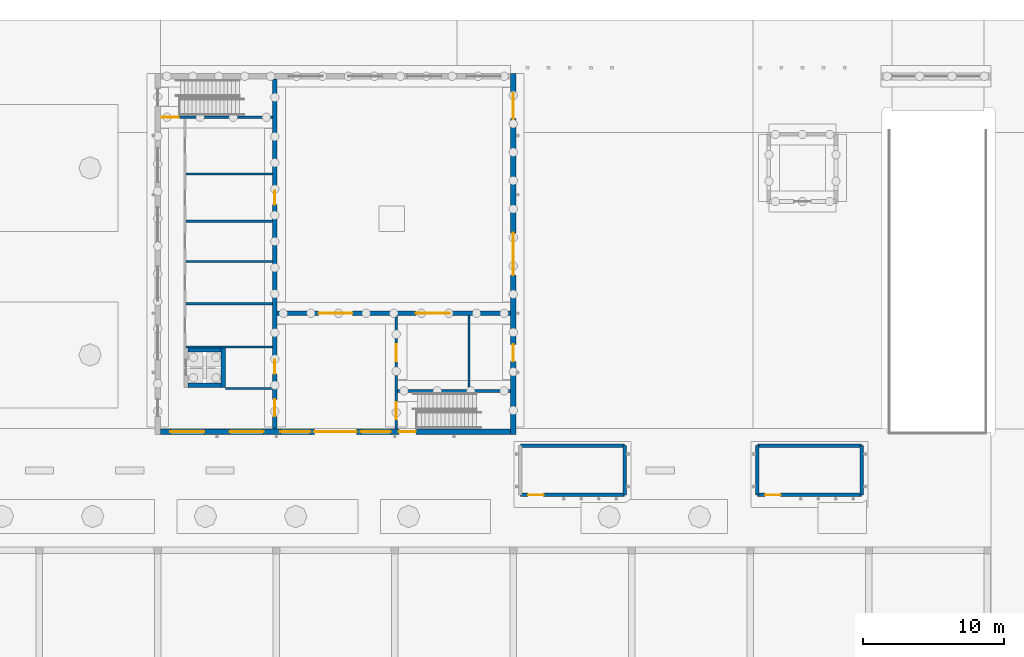
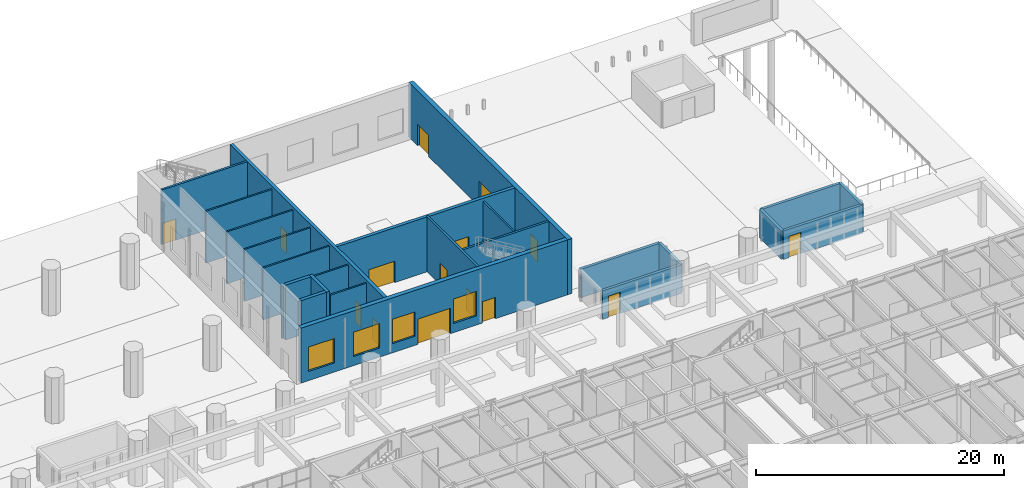
# One storey, part 74 of 127: 24 walls, 15 doors, 4 windows, 19 openings.
"""IFC4 building model written with IfcOpenShell, lengths in metres."""

from ifc_helpers import new_model, si_unit, direction, frame, frame_2d, origin, place, context, subcontext, project, spatial, rectangle, extrude, material, layer, layer_set, type_object, element, fill, save


model = new_model("IFC4")

# Units and contexts
model_context = context("Model", 3, precision=1e-05, world=origin(), true_north=direction((0.0, 1.0)))
body_context = subcontext(model_context, "Body", "Model", "MODEL_VIEW")
ifc_project = project(units=[si_unit("LENGTHUNIT", "METRE"), si_unit("AREAUNIT", "SQUARE_METRE"), si_unit("VOLUMEUNIT", "CUBIC_METRE"), si_unit("PLANEANGLEUNIT", "RADIAN"), si_unit("MASSUNIT", "GRAM", prefix="KILO")], contexts=[model_context])

# Site, building, storey
site_placement = place(None, origin())
site = spatial("IfcSite", under=ifc_project, at=site_placement, CompositionType="ELEMENT")
building_placement = place(site_placement, origin())
building = spatial("IfcBuilding", under=site, at=building_placement, Name="Ljudholm Concert House", CompositionType="ELEMENT")
storey_placement = place(building_placement, origin())
storey = spatial("IfcBuildingStorey", under=building, at=storey_placement, Name="L00", CompositionType="ELEMENT", Elevation=0.0)

# Walls
ifc_material_1 = material(Name="Gypsum board on steel studs", Category="steel")
ifc_layer_1 = layer(ifc_material_1, 0.14990234375)
ifc_layer_set_1 = layer_set([ifc_layer_1], Name="Gypsum board on steel studs")
wall_type_1 = type_object("IfcWallType", Name="GYPSUM PARTITION 150", PredefinedType="PARTITIONING", material=ifc_layer_set_1)
for number, where, z_axis, x_axis, name in (
    (1, (64.800048828125, 152.824951171875, 0.0), (0.0, 0.0, 1.0), (1.0, 0.0, 0.0), "Room partition"),
    (2, (64.800048828125, 155.875, 0.0), (0.0, 0.0, 1.0), (1.0, 0.0, 0.0), "Room partition"),
    (3, (64.800048828125, 158.875, 0.0), (0.0, 0.0, 1.0), (1.0, 0.0, 0.0), "Room partition"),
    (4, (64.800048828125, 161.72509765625, 0.0), (0.0, 0.0, 1.0), (1.0, 0.0, 0.0), "Room partition"),
    (5, (64.800048828125, 165.074951171875, 0.0), (0.0, 0.0, 1.0), (1.0, 0.0, 0.0), "Room partition"),
):
    element("IfcWall", number, at=place(storey_placement, frame(where, z_axis=z_axis, x_axis=x_axis)), inside=storey, type_object=wall_type_1, Name=name, PredefinedType="PARTITIONING", context=body_context, shape_type="SweptSolid", body=[
        extrude(rectangle(XDim=6.14990234375, YDim=0.14990234375, at=frame_2d((3.074951171875, 0.0))), origin(), (0.0, 0.0, 1.0), 5.10009765625),
    ])
wall_1_placement = place(storey_placement, frame((67.60009765625, 149.875, 0.0), z_axis=(0.0, 0.0, 1.0), x_axis=(1.0, 0.0, 0.0)))
element("IfcWall", 6, at=wall_1_placement, inside=storey, type_object=wall_type_1, Name="Store partition", PredefinedType="PARTITIONING", context=body_context, shape_type="SweptSolid", body=[
    extrude(rectangle(XDim=3.349853515625, YDim=0.14990234375, at=frame_2d((1.6748046875, 0.0))), origin(), (0.0, 0.0, 1.0), 5.10009765625),
])
wall_2_placement = place(storey_placement, frame((84.875, 149.800048828125, 0.0), z_axis=(0.0, 0.0, 1.0), x_axis=(0.0, 1.0, 0.0)))
element("IfcWall", 7, at=wall_2_placement, inside=storey, type_object=wall_type_1, Name="Plant room partition", PredefinedType="PARTITIONING", context=body_context, shape_type="SweptSolid", body=[
    extrude(rectangle(XDim=5.25, YDim=0.14990234375, at=frame_2d((2.625, 0.0))), origin(), (0.0, 0.0, 1.0), 5.10009765625),
])

# Wall, openings, doors
ifc_material_2 = material(Name="Concrete 6,500 psi", Category="concrete")
ifc_layer_2 = layer(ifc_material_2, 0.199951171875)
ifc_layer_set_2 = layer_set([ifc_layer_2], Name="Concrete 6,500 psi")
wall_type_2 = type_object("IfcWallType", Name="RC WALL 200", PredefinedType="SOLIDWALL", material=ifc_layer_set_2)
wall_3_placement = place(storey_placement, frame((79.699951171875, 147.0, 0.0), z_axis=(0.0, 0.0, 1.0), x_axis=(0.0, 1.0, 0.0)))
wall_3 = element("IfcWall", 8, at=wall_3_placement, inside=storey, type_object=wall_type_2, Name="Foyer wall E", PredefinedType="SOLIDWALL", context=body_context, shape_type="SweptSolid", body=[
    extrude(rectangle(XDim=8.199951171875, YDim=0.199951171875, at=frame_2d((4.10009765625, 0.0))), origin(), (0.0, 0.0, 1.0), 5.39990234375),
])
opening_1_placement = place(wall_3_placement, frame((0.699951171875, 0.0, 0.0)))
opening_1 = element("IfcOpeningElement", 9, at=opening_1_placement, cuts=wall_3, Name="Opening D-E00-016", PredefinedType="OPENING", context=body_context, shape_type="SweptSolid", body=[
    extrude(rectangle(XDim=1.199951171875, YDim=2.10009765625, at=frame_2d((0.60009765625, 1.050048828125))), frame((0.0, 0.10986328125, 0.0), z_axis=(0.0, -1.0, 0.0), x_axis=(1.0, 0.0, 0.0)), (0.0, 0.0, 1.0), 0.219970703125),
])
opening_2_placement = place(wall_3_placement, frame((4.800048828125, 0.0, 0.0)))
opening_2 = element("IfcOpeningElement", 10, at=opening_2_placement, cuts=wall_3, Name="Opening D-E00-021", PredefinedType="OPENING", context=body_context, shape_type="SweptSolid", body=[
    extrude(rectangle(XDim=1.199951171875, YDim=2.10009765625, at=frame_2d((0.60009765625, 1.050048828125))), frame((0.0, 0.10986328125, 0.0), z_axis=(0.0, -1.0, 0.0), x_axis=(1.0, 0.0, 0.0)), (0.0, 0.0, 1.0), 0.219970703125),
])
ifc_material_3 = material(Name="Hollow metal door in steel frame", Category="steel")
door_type_1 = type_object("IfcDoorType", Name="SWING DOOR 1200x2100", OperationType="SINGLE_SWING_LEFT", PredefinedType="DOOR", material=ifc_material_3)
door_1_placement = place(opening_1_placement, frame((1.199951171875, 0.0, 0.0), z_axis=(0.0, 0.0, 1.0), x_axis=(-1.0, 0.0, 0.0)))
door_1 = element("IfcDoor", 11, at=door_1_placement, inside=storey, type_object=door_type_1, Name="Exit stair S2 door", OperationType="SINGLE_SWING_LEFT", OverallHeight=2.10009765625, OverallWidth=1.199951171875, PredefinedType="DOOR", context=body_context, shape_type="SweptSolid", body=[
    extrude(rectangle(XDim=1.199951171875, YDim=2.10009765625, at=frame_2d((0.60009765625, 1.050048828125))), frame((0.0, 0.02490234375, 0.0), z_axis=(0.0, -1.0, 0.0), x_axis=(1.0, 0.0, 0.0)), (0.0, 0.0, 1.0), 0.050048828125),
])
fill(opening_1, door_1)
door_2_placement = place(opening_2_placement, frame((1.199951171875, 0.0, 0.0), z_axis=(0.0, 0.0, 1.0), x_axis=(-1.0, 0.0, 0.0)))
door_2 = element("IfcDoor", 12, at=door_2_placement, inside=storey, type_object=door_type_1, Name="Instrument Store door", OperationType="SINGLE_SWING_RIGHT", OverallHeight=2.10009765625, OverallWidth=1.199951171875, PredefinedType="DOOR", context=body_context, shape_type="SweptSolid", body=[
    extrude(rectangle(XDim=1.199951171875, YDim=2.10009765625, at=frame_2d((0.60009765625, 1.050048828125))), frame((0.0, 0.02490234375, 0.0), z_axis=(0.0, -1.0, 0.0), x_axis=(1.0, 0.0, 0.0)), (0.0, 0.0, 1.0), 0.050048828125),
])
fill(opening_2, door_2)

# Wall
wall_4_placement = place(storey_placement, frame((79.800048828125, 149.699951171875, 0.0), z_axis=(0.0, 0.0, 1.0), x_axis=(1.0, 0.0, 0.0)))
element("IfcWall", 13, at=wall_4_placement, inside=storey, type_object=wall_type_2, Name="Stair enclosure wall S2", PredefinedType="SOLIDWALL", context=body_context, shape_type="SweptSolid", body=[
    extrude(rectangle(XDim=8.0, YDim=0.199951171875, at=frame_2d((4.0, 0.0))), origin(), (0.0, 0.0, 1.0), 5.39990234375),
])

# Wall, opening, door
wall_5_placement = place(storey_placement, frame((63.0, 169.10009765625, 0.0), z_axis=(0.0, 0.0, 1.0), x_axis=(1.0, 0.0, 0.0)))
wall_5 = element("IfcWall", 14, at=wall_5_placement, inside=storey, type_object=wall_type_2, Name="Stair enclosure wall S1", PredefinedType="SOLIDWALL", context=body_context, shape_type="SweptSolid", body=[
    extrude(rectangle(XDim=7.949951171875, YDim=0.199951171875, at=frame_2d((3.97509765625, 0.0))), origin(), (0.0, 0.0, 1.0), 5.39990234375),
])
opening_3_placement = place(wall_5_placement, frame((0.10009765625, 0.0, 0.0)))
opening_3 = element("IfcOpeningElement", 15, at=opening_3_placement, cuts=wall_5, Name="Opening D-E00-015", PredefinedType="OPENING", context=body_context, shape_type="SweptSolid", body=[
    extrude(rectangle(XDim=1.199951171875, YDim=2.10009765625, at=frame_2d((0.60009765625, 1.050048828125))), frame((0.0, 0.10986328125, 0.0), z_axis=(0.0, -1.0, 0.0), x_axis=(1.0, 0.0, 0.0)), (0.0, 0.0, 1.0), 0.219970703125),
])
door_3_placement = place(opening_3_placement, origin())
door_3 = element("IfcDoor", 16, at=door_3_placement, inside=storey, type_object=door_type_1, Name="Exit stair S1 door", OperationType="SINGLE_SWING_LEFT", OverallHeight=2.10009765625, OverallWidth=1.199951171875, PredefinedType="DOOR", context=body_context, shape_type="SweptSolid", body=[
    extrude(rectangle(XDim=1.199951171875, YDim=2.10009765625, at=frame_2d((0.60009765625, 1.050048828125))), frame((0.0, 0.02490234375, 0.0), z_axis=(0.0, -1.0, 0.0), x_axis=(1.0, 0.0, 0.0)), (0.0, 0.0, 1.0), 0.050048828125),
])
fill(opening_3, door_3)

ifc_material_4 = material(Name="Concrete 6,500 psi", Category="concrete")
ifc_layer_3 = layer(ifc_material_4, 0.25)
ifc_layer_set_3 = layer_set([ifc_layer_3], Name="Concrete 6,500 psi")
wall_type_3 = type_object("IfcWallType", Name="RC WALL 250 EXTERNAL", PredefinedType="SOLIDWALL", material=ifc_layer_set_3)
wall_6_placement = place(storey_placement, frame((88.5, 142.324951171875, 0.0), z_axis=(0.0, 0.0, 1.0), x_axis=(1.0, 0.0, 0.0)))
wall_6 = element("IfcWall", 17, at=wall_6_placement, inside=storey, type_object=wall_type_3, Name="Stair enclosure wall", PredefinedType="SOLIDWALL", context=body_context, shape_type="SweptSolid", body=[
    extrude(rectangle(XDim=7.39501953125, YDim=0.25, at=frame_2d((3.697509765625, 0.0))), origin(), (0.0, 0.0, 1.0), 2.800048828125),
])
opening_4_placement = place(wall_6_placement, frame((0.550048828125, 0.0, 0.0)))
opening_4 = element("IfcOpeningElement", 18, at=opening_4_placement, cuts=wall_6, Name="Opening D-X00-003", PredefinedType="OPENING", context=body_context, shape_type="SweptSolid", body=[
    extrude(rectangle(XDim=1.10009765625, YDim=2.10009765625, at=frame_2d((0.550048828125, 1.050048828125))), frame((0.0, 0.135009765625, 0.0), z_axis=(0.0, -1.0, 0.0), x_axis=(1.0, 0.0, 0.0)), (0.0, 0.0, 1.0), 0.27001953125),
])
ifc_material_5 = material(Name="Hollow metal door in steel frame", Category="steel")
door_type_2 = type_object("IfcDoorType", Name="SWING DOOR 1100x2100 EXTERNAL", OperationType="SINGLE_SWING_LEFT", PredefinedType="DOOR", material=ifc_material_5)
door_4_placement = place(opening_4_placement, frame((1.10009765625, 0.0, 0.0), z_axis=(0.0, 0.0, 1.0), x_axis=(-1.0, 0.0, 0.0)))
door_4 = element("IfcDoor", 19, at=door_4_placement, inside=storey, type_object=door_type_2, Name="Final exit door", OperationType="SINGLE_SWING_RIGHT", OverallHeight=2.10009765625, OverallWidth=1.10009765625, PredefinedType="DOOR", context=body_context, shape_type="SweptSolid", body=[
    extrude(rectangle(XDim=1.10009765625, YDim=2.10009765625, at=frame_2d((0.550048828125, 1.050048828125))), frame((0.0, 0.02490234375, 0.0), z_axis=(0.0, -1.0, 0.0), x_axis=(1.0, 0.0, 0.0)), (0.0, 0.0, 1.0), 0.050048828125),
])
fill(opening_4, door_4)

# Walls
wall_7_placement = place(storey_placement, frame((88.5, 145.824951171875, 0.0), z_axis=(0.0, 0.0, 1.0), x_axis=(1.0, 0.0, 0.0)))
element("IfcWall", 20, at=wall_7_placement, inside=storey, type_object=wall_type_3, Name="Stair enclosure wall", PredefinedType="SOLIDWALL", context=body_context, shape_type="SweptSolid", body=[
    extrude(rectangle(XDim=7.39501953125, YDim=0.25, at=frame_2d((3.697509765625, 0.0))), origin(), (0.0, 0.0, 1.0), 2.800048828125),
])
wall_8_placement = place(storey_placement, frame((95.89501953125, 142.324951171875, 0.0), z_axis=(0.0, 0.0, 1.0), x_axis=(0.0, 1.0, 0.0)))
element("IfcWall", 21, at=wall_8_placement, inside=storey, type_object=wall_type_3, Name="Stair enclosure wall", PredefinedType="SOLIDWALL", context=body_context, shape_type="SweptSolid", body=[
    extrude(rectangle(XDim=3.5, YDim=0.25, at=frame_2d((1.75, 0.0))), origin(), (0.0, 0.0, 1.0), 2.800048828125),
])

# Wall, opening, door
wall_9_placement = place(storey_placement, frame((105.300048828125, 142.324951171875, 0.0), z_axis=(0.0, 0.0, 1.0), x_axis=(1.0, 0.0, 0.0)))
wall_9 = element("IfcWall", 22, at=wall_9_placement, inside=storey, type_object=wall_type_3, Name="Stair enclosure wall", PredefinedType="SOLIDWALL", context=body_context, shape_type="SweptSolid", body=[
    extrude(rectangle(XDim=7.39501953125, YDim=0.25, at=frame_2d((3.697509765625, 0.0))), origin(), (0.0, 0.0, 1.0), 2.800048828125),
])
opening_5_placement = place(wall_9_placement, frame((0.550048828125, 0.0, 0.0)))
opening_5 = element("IfcOpeningElement", 23, at=opening_5_placement, cuts=wall_9, Name="Opening D-X00-004", PredefinedType="OPENING", context=body_context, shape_type="SweptSolid", body=[
    extrude(rectangle(XDim=1.10009765625, YDim=2.10009765625, at=frame_2d((0.550048828125, 1.050048828125))), frame((0.0, 0.135009765625, 0.0), z_axis=(0.0, -1.0, 0.0), x_axis=(1.0, 0.0, 0.0)), (0.0, 0.0, 1.0), 0.27001953125),
])
door_5_placement = place(opening_5_placement, frame((1.10009765625, 0.0, 0.0), z_axis=(0.0, 0.0, 1.0), x_axis=(-1.0, 0.0, 0.0)))
door_5 = element("IfcDoor", 24, at=door_5_placement, inside=storey, type_object=door_type_2, Name="Final exit door", OperationType="SINGLE_SWING_RIGHT", OverallHeight=2.10009765625, OverallWidth=1.10009765625, PredefinedType="DOOR", context=body_context, shape_type="SweptSolid", body=[
    extrude(rectangle(XDim=1.10009765625, YDim=2.10009765625, at=frame_2d((0.550048828125, 1.050048828125))), frame((0.0, 0.02490234375, 0.0), z_axis=(0.0, -1.0, 0.0), x_axis=(1.0, 0.0, 0.0)), (0.0, 0.0, 1.0), 0.050048828125),
])
fill(opening_5, door_5)

# Walls
wall_10_placement = place(storey_placement, frame((105.300048828125, 145.824951171875, 0.0), z_axis=(0.0, 0.0, 1.0), x_axis=(1.0, 0.0, 0.0)))
element("IfcWall", 25, at=wall_10_placement, inside=storey, type_object=wall_type_3, Name="Stair enclosure wall", PredefinedType="SOLIDWALL", context=body_context, shape_type="SweptSolid", body=[
    extrude(rectangle(XDim=7.39501953125, YDim=0.25, at=frame_2d((3.697509765625, 0.0))), origin(), (0.0, 0.0, 1.0), 2.800048828125),
])
for number, where, z_axis, x_axis, name in (
    (26, (105.300048828125, 142.324951171875, 0.0), (0.0, 0.0, 1.0), (0.0, 1.0, 0.0), "Stair enclosure wall"),
    (27, (112.695068359375, 142.324951171875, 0.0), (0.0, 0.0, 1.0), (0.0, 1.0, 0.0), "Stair enclosure wall"),
):
    element("IfcWall", number, at=place(storey_placement, frame(where, z_axis=z_axis, x_axis=x_axis)), inside=storey, type_object=wall_type_3, Name=name, PredefinedType="SOLIDWALL", context=body_context, shape_type="SweptSolid", body=[
        extrude(rectangle(XDim=3.5, YDim=0.25, at=frame_2d((1.75, 0.0))), origin(), (0.0, 0.0, 1.0), 2.800048828125),
    ])

# Wall, openings, doors
ifc_material_6 = material(Name="Concrete 6,500 psi", Category="concrete")
ifc_layer_4 = layer(ifc_material_6, 0.300048828125)
ifc_layer_set_4 = layer_set([ifc_layer_4], Name="Concrete 6,500 psi")
wall_type_4 = type_object("IfcWallType", Name="RC WALL 300", PredefinedType="SOLIDWALL", material=ifc_layer_set_4)
wall_11_placement = place(storey_placement, frame((71.10009765625, 147.0, 0.0), z_axis=(0.0, 0.0, 1.0), x_axis=(0.0, 1.0, 0.0)))
wall_11 = element("IfcWall", 28, at=wall_11_placement, inside=storey, type_object=wall_type_4, Name="Hall wall W", PredefinedType="SOLIDWALL", context=body_context, shape_type="SweptSolid", body=[
    extrude(rectangle(XDim=24.800048828125, YDim=0.300048828125, at=frame_2d((12.39990234375, 0.0))), origin(), (0.0, 0.0, 1.0), 5.39990234375),
])
opening_6_placement = place(wall_11_placement, frame((0.89990234375, 0.0, 0.0)))
opening_6 = element("IfcOpeningElement", 29, at=opening_6_placement, cuts=wall_11, Name="Opening D-E00-014", PredefinedType="OPENING", context=body_context, shape_type="SweptSolid", body=[
    extrude(rectangle(XDim=1.199951171875, YDim=2.10009765625, at=frame_2d((0.60009765625, 1.050048828125))), frame((0.0, 0.159912109375, 0.0), z_axis=(0.0, -1.0, 0.0), x_axis=(1.0, 0.0, 0.0)), (0.0, 0.0, 1.0), 0.320068359375),
])
opening_7_placement = place(wall_11_placement, frame((3.89990234375, 0.0, 0.0)))
opening_7 = element("IfcOpeningElement", 30, at=opening_7_placement, cuts=wall_11, Name="Opening D-E00-017", PredefinedType="OPENING", context=body_context, shape_type="SweptSolid", body=[
    extrude(rectangle(XDim=1.0, YDim=2.10009765625, at=frame_2d((0.5, 1.050048828125))), frame((0.0, 0.159912109375, 0.0), z_axis=(0.0, -1.0, 0.0), x_axis=(1.0, 0.0, 0.0)), (0.0, 0.0, 1.0), 0.320068359375),
])
opening_8_placement = place(wall_11_placement, frame((15.89990234375, 0.0, 0.0)))
opening_8 = element("IfcOpeningElement", 31, at=opening_8_placement, cuts=wall_11, Name="Opening D-E00-018", PredefinedType="OPENING", context=body_context, shape_type="SweptSolid", body=[
    extrude(rectangle(XDim=1.0, YDim=2.10009765625, at=frame_2d((0.5, 1.050048828125))), frame((0.0, 0.159912109375, 0.0), z_axis=(0.0, -1.0, 0.0), x_axis=(1.0, 0.0, 0.0)), (0.0, 0.0, 1.0), 0.320068359375),
])
ifc_material_7 = material(Name="Hollow metal door in steel frame", Category="steel")
door_type_3 = type_object("IfcDoorType", Name="SWING DOOR 1000x2100", OperationType="SINGLE_SWING_LEFT", PredefinedType="DOOR", material=ifc_material_7)
door_6_placement = place(opening_7_placement, origin())
door_6 = element("IfcDoor", 32, at=door_6_placement, inside=storey, type_object=door_type_3, Name="Cleaners' Store door", OperationType="SINGLE_SWING_RIGHT", OverallHeight=2.10009765625, OverallWidth=1.0, PredefinedType="DOOR", context=body_context, shape_type="SweptSolid", body=[
    extrude(rectangle(XDim=1.0, YDim=2.10009765625, at=frame_2d((0.5, 1.050048828125))), frame((0.0, 0.02490234375, 0.0), z_axis=(0.0, -1.0, 0.0), x_axis=(1.0, 0.0, 0.0)), (0.0, 0.0, 1.0), 0.050048828125),
])
fill(opening_7, door_6)
door_7_placement = place(opening_8_placement, origin())
door_7 = element("IfcDoor", 33, at=door_7_placement, inside=storey, type_object=door_type_3, Name="Conductor's door to the hall", OperationType="SINGLE_SWING_RIGHT", OverallHeight=2.10009765625, OverallWidth=1.0, PredefinedType="DOOR", context=body_context, shape_type="SweptSolid", body=[
    extrude(rectangle(XDim=1.0, YDim=2.10009765625, at=frame_2d((0.5, 1.050048828125))), frame((0.0, 0.02490234375, 0.0), z_axis=(0.0, -1.0, 0.0), x_axis=(1.0, 0.0, 0.0)), (0.0, 0.0, 1.0), 0.050048828125),
])
fill(opening_8, door_7)
door_8_placement = place(opening_6_placement, frame((1.199951171875, 0.0, 0.0), z_axis=(0.0, 0.0, 1.0), x_axis=(-1.0, 0.0, 0.0)))
door_8 = element("IfcDoor", 34, at=door_8_placement, inside=storey, type_object=door_type_1, Name="Foyer door", OperationType="SINGLE_SWING_LEFT", OverallHeight=2.10009765625, OverallWidth=1.199951171875, PredefinedType="DOOR", context=body_context, shape_type="SweptSolid", body=[
    extrude(rectangle(XDim=1.199951171875, YDim=2.10009765625, at=frame_2d((0.60009765625, 1.050048828125))), frame((0.0, 0.02490234375, 0.0), z_axis=(0.0, -1.0, 0.0), x_axis=(1.0, 0.0, 0.0)), (0.0, 0.0, 1.0), 0.050048828125),
])
fill(opening_6, door_8)

wall_12_placement = place(storey_placement, frame((71.25, 155.199951171875, 0.0), z_axis=(0.0, 0.0, 1.0), x_axis=(1.0, 0.0, 0.0)))
wall_12 = element("IfcWall", 35, at=wall_12_placement, inside=storey, type_object=wall_type_4, Name="Hall wall S", PredefinedType="SOLIDWALL", context=body_context, shape_type="SweptSolid", body=[
    extrude(rectangle(XDim=16.550048828125, YDim=0.300048828125, at=frame_2d((8.27490234375, 0.0))), origin(), (0.0, 0.0, 1.0), 5.39990234375),
])
opening_9_placement = place(wall_12_placement, frame((2.949951171875, 0.0, 0.0)))
opening_9 = element("IfcOpeningElement", 36, at=opening_9_placement, cuts=wall_12, Name="Opening D-E00-019", PredefinedType="OPENING", context=body_context, shape_type="SweptSolid", body=[
    extrude(rectangle(XDim=2.39990234375, YDim=2.10009765625, at=frame_2d((1.199951171875, 1.050048828125))), frame((0.0, 0.159912109375, 0.0), z_axis=(0.0, -1.0, 0.0), x_axis=(1.0, 0.0, 0.0)), (0.0, 0.0, 1.0), 0.320068359375),
])
opening_10_placement = place(wall_12_placement, frame((9.85009765625, 0.0, 0.0)))
opening_10 = element("IfcOpeningElement", 37, at=opening_10_placement, cuts=wall_12, Name="Opening D-E00-020", PredefinedType="OPENING", context=body_context, shape_type="SweptSolid", body=[
    extrude(rectangle(XDim=2.39990234375, YDim=2.10009765625, at=frame_2d((1.199951171875, 1.050048828125))), frame((0.0, 0.159912109375, 0.0), z_axis=(0.0, -1.0, 0.0), x_axis=(1.0, 0.0, 0.0)), (0.0, 0.0, 1.0), 0.320068359375),
])
ifc_material_8 = material(Name="Hollow metal door in steel frame", Category="steel")
door_type_4 = type_object("IfcDoorType", Name="DOUBLE DOOR 2400x2100", OperationType="DOUBLE_DOOR_SINGLE_SWING", PredefinedType="DOOR", material=ifc_material_8)
door_9_placement = place(opening_9_placement, origin())
door_9 = element("IfcDoor", 38, at=door_9_placement, inside=storey, type_object=door_type_4, Name="Rehearsal hall door", OperationType="DOUBLE_DOOR_SINGLE_SWING", OverallHeight=2.10009765625, OverallWidth=2.39990234375, PredefinedType="DOOR", context=body_context, shape_type="SweptSolid", body=[
    extrude(rectangle(XDim=2.39990234375, YDim=2.10009765625, at=frame_2d((1.199951171875, 1.050048828125))), frame((0.0, 0.02490234375, 0.0), z_axis=(0.0, -1.0, 0.0), x_axis=(1.0, 0.0, 0.0)), (0.0, 0.0, 1.0), 0.050048828125),
])
fill(opening_9, door_9)
door_10_placement = place(opening_10_placement, frame((2.39990234375, 0.0, 0.0), z_axis=(0.0, 0.0, 1.0), x_axis=(-1.0, 0.0, 0.0)))
door_10 = element("IfcDoor", 39, at=door_10_placement, inside=storey, type_object=door_type_4, Name="Instrument store door to the hall", OperationType="DOUBLE_DOOR_SINGLE_SWING", OverallHeight=2.10009765625, OverallWidth=2.39990234375, PredefinedType="DOOR", context=body_context, shape_type="SweptSolid", body=[
    extrude(rectangle(XDim=2.39990234375, YDim=2.10009765625, at=frame_2d((1.199951171875, 1.050048828125))), frame((0.0, 0.02490234375, 0.0), z_axis=(0.0, -1.0, 0.0), x_axis=(1.0, 0.0, 0.0)), (0.0, 0.0, 1.0), 0.050048828125),
])
fill(opening_10, door_10)

# Walls
wall_13_placement = place(storey_placement, frame((67.449951171875, 149.949951171875, 0.0), z_axis=(0.0, 0.0, 1.0), x_axis=(0.0, 1.0, 0.0)))
element("IfcWall", 40, at=wall_13_placement, inside=storey, type_object=wall_type_4, Name="Lift shaft wall", PredefinedType="SOLIDWALL", context=body_context, shape_type="SweptSolid", body=[
    extrude(rectangle(XDim=2.800048828125, YDim=0.300048828125, at=frame_2d((1.39990234375, 0.0))), origin(), (0.0, 0.0, 1.0), 5.39990234375),
])
for number, where, z_axis, x_axis, name in (
    (41, (64.949951171875, 150.10009765625, 0.0), (0.0, 0.0, 1.0), (1.0, 0.0, 0.0), "Lift shaft wall"),
    (42, (64.949951171875, 152.60009765625, 0.0), (0.0, 0.0, 1.0), (1.0, 0.0, 0.0), "Lift shaft wall"),
):
    element("IfcWall", number, at=place(storey_placement, frame(where, z_axis=z_axis, x_axis=x_axis)), inside=storey, type_object=wall_type_4, Name=name, PredefinedType="SOLIDWALL", context=body_context, shape_type="SweptSolid", body=[
        extrude(rectangle(XDim=2.35009765625, YDim=0.300048828125, at=frame_2d((1.175048828125, 0.0))), origin(), (0.0, 0.0, 1.0), 5.39990234375),
    ])

# Wall, openings, doors
ifc_material_9 = material(Name="Concrete 6,500 psi", Category="concrete")
ifc_layer_5 = layer(ifc_material_9, 0.39990234375)
ifc_layer_set_5 = layer_set([ifc_layer_5], Name="Concrete 6,500 psi")
wall_type_5 = type_object("IfcWallType", Name="RC WALL 400", PredefinedType="SOLIDWALL", material=ifc_layer_set_5)
wall_14_placement = place(storey_placement, frame((88.0, 146.60009765625, 0.0), z_axis=(0.0, 0.0, 1.0), x_axis=(0.0, 1.0, 0.0)))
wall_14 = element("IfcWall", 43, at=wall_14_placement, inside=storey, type_object=wall_type_5, Name="Outer wall E", PredefinedType="SOLIDWALL", context=body_context, shape_type="SweptSolid", body=[
    extrude(rectangle(XDim=25.599853515625, YDim=0.39990234375, at=frame_2d((12.7998046875, 0.0))), origin(), (0.0, 0.0, 1.0), 5.39990234375),
])
opening_11_placement = place(wall_14_placement, frame((11.300048828125, 0.0, 0.0)))
opening_11 = element("IfcOpeningElement", 44, at=opening_11_placement, cuts=wall_14, Name="Opening D-E00-006", PredefinedType="OPENING", context=body_context, shape_type="SweptSolid", body=[
    extrude(rectangle(XDim=3.0, YDim=2.5, at=frame_2d((1.5, 1.25))), frame((0.0, 0.2099609375, 0.0), z_axis=(0.0, -1.0, 0.0), x_axis=(1.0, 0.0, 0.0)), (0.0, 0.0, 1.0), 0.419921875),
])
opening_12_placement = place(wall_14_placement, frame((22.39990234375, 0.0, 0.0)))
opening_12 = element("IfcOpeningElement", 45, at=opening_12_placement, cuts=wall_14, Name="Opening D-E00-007", PredefinedType="OPENING", context=body_context, shape_type="SweptSolid", body=[
    extrude(rectangle(XDim=1.800048828125, YDim=2.10009765625, at=frame_2d((0.89990234375, 1.050048828125))), frame((0.0, 0.2099609375, 0.0), z_axis=(0.0, -1.0, 0.0), x_axis=(1.0, 0.0, 0.0)), (0.0, 0.0, 1.0), 0.419921875),
])
opening_13_placement = place(wall_14_placement, frame((5.199951171875, 0.0, 0.0)))
opening_13 = element("IfcOpeningElement", 46, at=opening_13_placement, cuts=wall_14, Name="Opening D-E00-008", PredefinedType="OPENING", context=body_context, shape_type="SweptSolid", body=[
    extrude(rectangle(XDim=1.199951171875, YDim=2.10009765625, at=frame_2d((0.60009765625, 1.050048828125))), frame((0.0, 0.2099609375, 0.0), z_axis=(0.0, -1.0, 0.0), x_axis=(1.0, 0.0, 0.0)), (0.0, 0.0, 1.0), 0.419921875),
])
ifc_material_10 = material(Name="Hollow metal door in steel frame", Category="steel")
door_type_5 = type_object("IfcDoorType", Name="DOUBLE DOOR 1800x2100 EXTERNAL", OperationType="DOUBLE_DOOR_SINGLE_SWING", PredefinedType="DOOR", material=ifc_material_10)
door_11_placement = place(opening_12_placement, frame((1.800048828125, 0.0, 0.0), z_axis=(0.0, 0.0, 1.0), x_axis=(-1.0, 0.0, 0.0)))
door_11 = element("IfcDoor", 47, at=door_11_placement, inside=storey, type_object=door_type_5, Name="Rehearsal hall exit", OperationType="DOUBLE_DOOR_SINGLE_SWING", OverallHeight=2.10009765625, OverallWidth=1.800048828125, PredefinedType="DOOR", context=body_context, shape_type="SweptSolid", body=[
    extrude(rectangle(XDim=1.800048828125, YDim=2.10009765625, at=frame_2d((0.89990234375, 1.050048828125))), frame((0.0, 0.02490234375, 0.0), z_axis=(0.0, -1.0, 0.0), x_axis=(1.0, 0.0, 0.0)), (0.0, 0.0, 1.0), 0.050048828125),
])
fill(opening_12, door_11)
ifc_material_11 = material(Name="Aluminium-framed glazed door, impact-rated", Category="aluminium")
door_type_6 = type_object("IfcDoorType", Name="DOUBLE DOOR 3000x2500", OperationType="DOUBLE_DOOR_SINGLE_SWING", PredefinedType="DOOR", material=ifc_material_11)
door_12_placement = place(opening_11_placement, frame((3.0, 0.0, 0.0), z_axis=(0.0, 0.0, 1.0), x_axis=(-1.0, 0.0, 0.0)))
door_12 = element("IfcDoor", 48, at=door_12_placement, inside=storey, type_object=door_type_6, Name="Instrument load-in door", OperationType="DOUBLE_DOOR_SINGLE_SWING", OverallHeight=2.5, OverallWidth=3.0, PredefinedType="DOOR", context=body_context, shape_type="SweptSolid", body=[
    extrude(rectangle(XDim=3.0, YDim=2.5, at=frame_2d((1.5, 1.25))), frame((0.0, 0.02490234375, 0.0), z_axis=(0.0, -1.0, 0.0), x_axis=(1.0, 0.0, 0.0)), (0.0, 0.0, 1.0), 0.050048828125),
])
fill(opening_11, door_12)
ifc_material_12 = material(Name="Hollow metal door in steel frame", Category="steel")
door_type_7 = type_object("IfcDoorType", Name="SWING DOOR 1200x2100 EXTERNAL", OperationType="SINGLE_SWING_LEFT", PredefinedType="DOOR", material=ifc_material_12)
door_13_placement = place(opening_13_placement, frame((1.199951171875, 0.0, 0.0), z_axis=(0.0, 0.0, 1.0), x_axis=(-1.0, 0.0, 0.0)))
door_13 = element("IfcDoor", 49, at=door_13_placement, inside=storey, type_object=door_type_7, Name="Plant room door", OperationType="SINGLE_SWING_LEFT", OverallHeight=2.10009765625, OverallWidth=1.199951171875, PredefinedType="DOOR", context=body_context, shape_type="SweptSolid", body=[
    extrude(rectangle(XDim=1.199951171875, YDim=2.10009765625, at=frame_2d((0.60009765625, 1.050048828125))), frame((0.0, 0.02490234375, 0.0), z_axis=(0.0, -1.0, 0.0), x_axis=(1.0, 0.0, 0.0)), (0.0, 0.0, 1.0), 0.050048828125),
])
fill(opening_13, door_13)

# Wall, openings, doors, windows
wall_15_placement = place(storey_placement, frame((63.0, 146.800048828125, 0.0), z_axis=(0.0, 0.0, 1.0), x_axis=(1.0, 0.0, 0.0)))
wall_15 = element("IfcWall", 50, at=wall_15_placement, inside=storey, type_object=wall_type_5, Name="Outer wall S", PredefinedType="SOLIDWALL", context=body_context, shape_type="SweptSolid", body=[
    extrude(rectangle(XDim=24.800048828125, YDim=0.39990234375, at=frame_2d((12.39990234375, 0.0))), origin(), (0.0, 0.0, 1.0), 5.39990234375),
])
opening_14_placement = place(wall_15_placement, frame((10.89990234375, 0.0, 0.0)))
opening_14 = element("IfcOpeningElement", 51, at=opening_14_placement, cuts=wall_15, Name="Opening D-E00-002", PredefinedType="OPENING", context=body_context, shape_type="SweptSolid", body=[
    extrude(rectangle(XDim=3.0, YDim=2.5, at=frame_2d((1.5, 1.25))), frame((0.0, 0.2099609375, 0.0), z_axis=(0.0, -1.0, 0.0), x_axis=(1.0, 0.0, 0.0)), (0.0, 0.0, 1.0), 0.419921875),
])
opening_15_placement = place(wall_15_placement, frame((16.89990234375, 0.0, 0.0)))
opening_15 = element("IfcOpeningElement", 52, at=opening_15_placement, cuts=wall_15, Name="Opening D-E00-003", PredefinedType="OPENING", context=body_context, shape_type="SweptSolid", body=[
    extrude(rectangle(XDim=1.199951171875, YDim=2.10009765625, at=frame_2d((0.60009765625, 1.050048828125))), frame((0.0, 0.2099609375, 0.0), z_axis=(0.0, -1.0, 0.0), x_axis=(1.0, 0.0, 0.0)), (0.0, 0.0, 1.0), 0.419921875),
])
opening_16_placement = place(wall_15_placement, frame((0.699951171875, 0.0, 0.89990234375)))
opening_16 = element("IfcOpeningElement", 53, at=opening_16_placement, cuts=wall_15, Name="Opening X-E00-001", PredefinedType="OPENING", context=body_context, shape_type="SweptSolid", body=[
    extrude(rectangle(XDim=2.39990234375, YDim=2.39990234375, at=frame_2d((1.199951171875, 1.199951171875))), frame((0.0, 0.2099609375, 0.0), z_axis=(0.0, -1.0, 0.0), x_axis=(1.0, 0.0, 0.0)), (0.0, 0.0, 1.0), 0.419921875),
])
opening_17_placement = place(wall_15_placement, frame((4.89990234375, 0.0, 0.89990234375)))
opening_17 = element("IfcOpeningElement", 54, at=opening_17_placement, cuts=wall_15, Name="Opening X-E00-002", PredefinedType="OPENING", context=body_context, shape_type="SweptSolid", body=[
    extrude(rectangle(XDim=2.39990234375, YDim=2.39990234375, at=frame_2d((1.199951171875, 1.199951171875))), frame((0.0, 0.2099609375, 0.0), z_axis=(0.0, -1.0, 0.0), x_axis=(1.0, 0.0, 0.0)), (0.0, 0.0, 1.0), 0.419921875),
])
opening_18_placement = place(wall_15_placement, frame((8.5, 0.0, 0.89990234375)))
opening_18 = element("IfcOpeningElement", 55, at=opening_18_placement, cuts=wall_15, Name="Opening X-E00-003", PredefinedType="OPENING", context=body_context, shape_type="SweptSolid", body=[
    extrude(rectangle(XDim=2.10009765625, YDim=2.39990234375, at=frame_2d((1.050048828125, 1.199951171875))), frame((0.0, 0.2099609375, 0.0), z_axis=(0.0, -1.0, 0.0), x_axis=(1.0, 0.0, 0.0)), (0.0, 0.0, 1.0), 0.419921875),
])
opening_19_placement = place(wall_15_placement, frame((14.199951171875, 0.0, 0.89990234375)))
opening_19 = element("IfcOpeningElement", 56, at=opening_19_placement, cuts=wall_15, Name="Opening X-E00-004", PredefinedType="OPENING", context=body_context, shape_type="SweptSolid", body=[
    extrude(rectangle(XDim=2.10009765625, YDim=2.39990234375, at=frame_2d((1.050048828125, 1.199951171875))), frame((0.0, 0.2099609375, 0.0), z_axis=(0.0, -1.0, 0.0), x_axis=(1.0, 0.0, 0.0)), (0.0, 0.0, 1.0), 0.419921875),
])
door_14_placement = place(opening_14_placement, frame((3.0, 0.0, 0.0), z_axis=(0.0, 0.0, 1.0), x_axis=(-1.0, 0.0, 0.0)))
door_14 = element("IfcDoor", 57, at=door_14_placement, inside=storey, type_object=door_type_6, Name="Rehearsal hall entrance", OperationType="DOUBLE_DOOR_SINGLE_SWING", OverallHeight=2.5, OverallWidth=3.0, PredefinedType="DOOR", context=body_context, shape_type="SweptSolid", body=[
    extrude(rectangle(XDim=3.0, YDim=2.5, at=frame_2d((1.5, 1.25))), frame((0.0, 0.02490234375, 0.0), z_axis=(0.0, -1.0, 0.0), x_axis=(1.0, 0.0, 0.0)), (0.0, 0.0, 1.0), 0.050048828125),
])
fill(opening_14, door_14)
ifc_material_13 = material(Name="Aluminium frame, impact glazing", Category="aluminium")
window_type_1 = type_object("IfcWindowType", Name="FIXED WINDOW 2100x2400", PartitioningType="SINGLE_PANEL", PredefinedType="WINDOW", material=ifc_material_13)
window_1_placement = place(opening_18_placement, origin())
window_1 = element("IfcWindow", 58, at=window_1_placement, inside=storey, type_object=window_type_1, Name="Foyer window", OverallHeight=2.39990234375, OverallWidth=2.10009765625, PartitioningType="SINGLE_PANEL", PredefinedType="WINDOW", context=body_context, shape_type="SweptSolid", body=[
    extrude(rectangle(XDim=2.10009765625, YDim=2.39990234375, at=frame_2d((1.050048828125, 1.199951171875))), frame((0.0, 0.030029296875, 0.0), z_axis=(0.0, -1.0, 0.0), x_axis=(1.0, 0.0, 0.0)), (0.0, 0.0, 1.0), 0.06005859375),
])
fill(opening_18, window_1)
window_2_placement = place(opening_19_placement, origin())
window_2 = element("IfcWindow", 59, at=window_2_placement, inside=storey, type_object=window_type_1, Name="Foyer window", OverallHeight=2.39990234375, OverallWidth=2.10009765625, PartitioningType="SINGLE_PANEL", PredefinedType="WINDOW", context=body_context, shape_type="SweptSolid", body=[
    extrude(rectangle(XDim=2.10009765625, YDim=2.39990234375, at=frame_2d((1.050048828125, 1.199951171875))), frame((0.0, 0.030029296875, 0.0), z_axis=(0.0, -1.0, 0.0), x_axis=(1.0, 0.0, 0.0)), (0.0, 0.0, 1.0), 0.06005859375),
])
fill(opening_19, window_2)
ifc_material_14 = material(Name="Aluminium frame, impact glazing", Category="aluminium")
window_type_2 = type_object("IfcWindowType", Name="FIXED WINDOW 2400x2400", PartitioningType="SINGLE_PANEL", PredefinedType="WINDOW", material=ifc_material_14)
window_3_placement = place(opening_16_placement, origin())
window_3 = element("IfcWindow", 60, at=window_3_placement, inside=storey, type_object=window_type_2, Name="Corridor window", OverallHeight=2.39990234375, OverallWidth=2.39990234375, PartitioningType="SINGLE_PANEL", PredefinedType="WINDOW", context=body_context, shape_type="SweptSolid", body=[
    extrude(rectangle(XDim=2.39990234375, YDim=2.39990234375, at=frame_2d((1.199951171875, 1.199951171875))), frame((0.0, 0.030029296875, 0.0), z_axis=(0.0, -1.0, 0.0), x_axis=(1.0, 0.0, 0.0)), (0.0, 0.0, 1.0), 0.06005859375),
])
fill(opening_16, window_3)
window_4_placement = place(opening_17_placement, origin())
window_4 = element("IfcWindow", 61, at=window_4_placement, inside=storey, type_object=window_type_2, Name="Corridor window", OverallHeight=2.39990234375, OverallWidth=2.39990234375, PartitioningType="SINGLE_PANEL", PredefinedType="WINDOW", context=body_context, shape_type="SweptSolid", body=[
    extrude(rectangle(XDim=2.39990234375, YDim=2.39990234375, at=frame_2d((1.199951171875, 1.199951171875))), frame((0.0, 0.030029296875, 0.0), z_axis=(0.0, -1.0, 0.0), x_axis=(1.0, 0.0, 0.0)), (0.0, 0.0, 1.0), 0.06005859375),
])
fill(opening_17, window_4)
door_15_placement = place(opening_15_placement, frame((1.199951171875, 0.0, 0.0), z_axis=(0.0, 0.0, 1.0), x_axis=(-1.0, 0.0, 0.0)))
door_15 = element("IfcDoor", 62, at=door_15_placement, inside=storey, type_object=door_type_7, Name="Final exit S2", OperationType="SINGLE_SWING_LEFT", OverallHeight=2.10009765625, OverallWidth=1.199951171875, PredefinedType="DOOR", context=body_context, shape_type="SweptSolid", body=[
    extrude(rectangle(XDim=1.199951171875, YDim=2.10009765625, at=frame_2d((0.60009765625, 1.050048828125))), frame((0.0, 0.02490234375, 0.0), z_axis=(0.0, -1.0, 0.0), x_axis=(1.0, 0.0, 0.0)), (0.0, 0.0, 1.0), 0.050048828125),
])
fill(opening_15, door_15)

save(model, "model.ifc")
